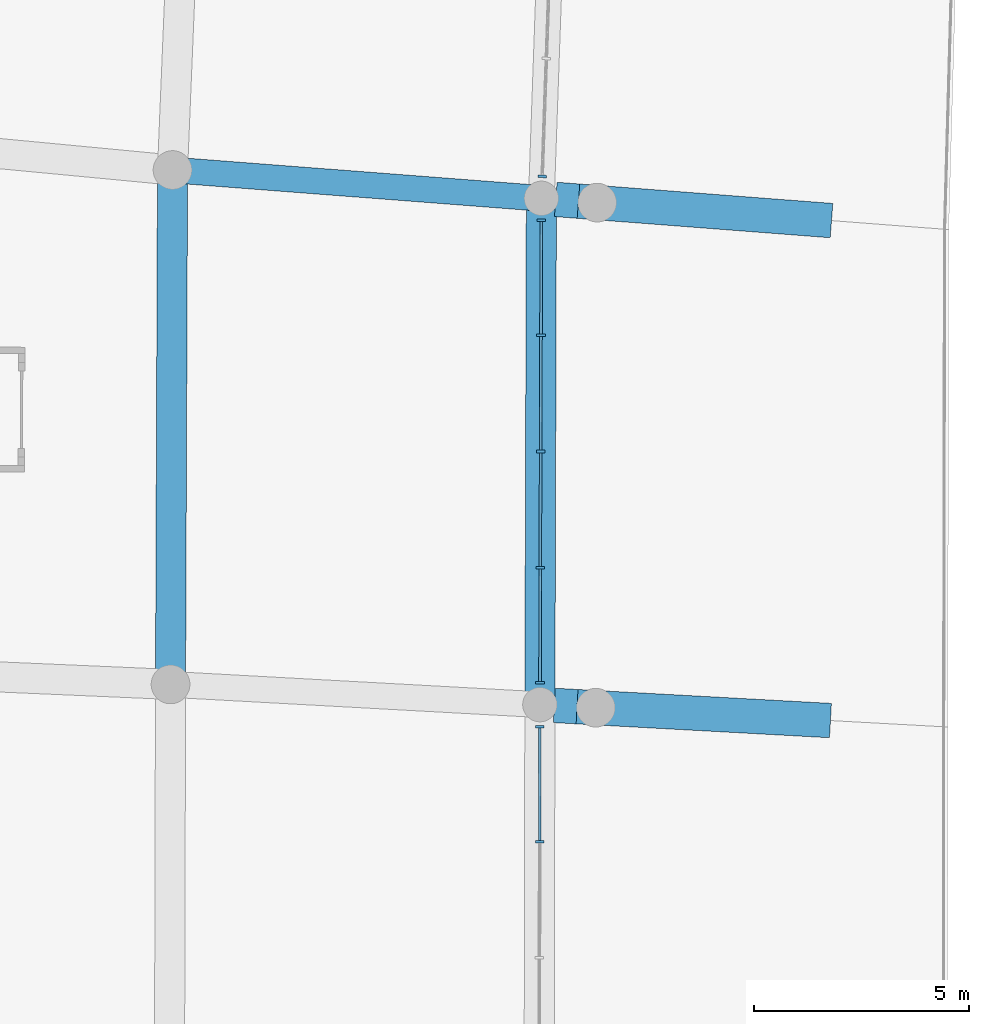
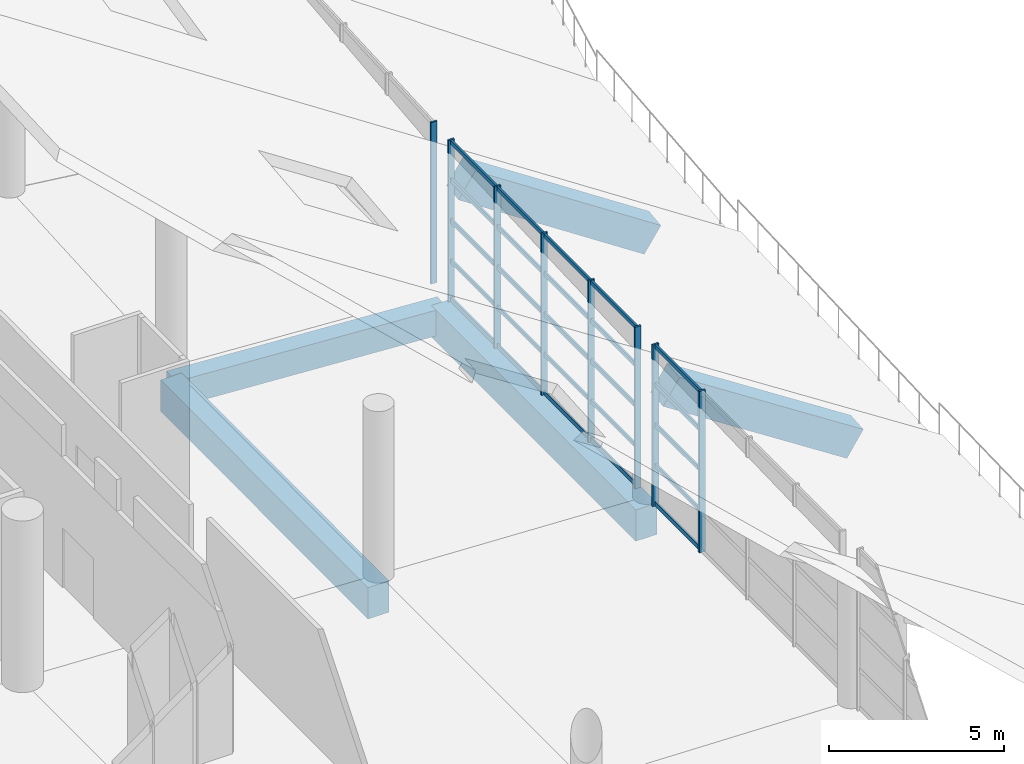
# One storey, part 56 of 249: 33 members, 5 beams, 3 elements without a shape of their own.
"""IFC4 building model written with IfcOpenShell, lengths in metres."""

from ifc_helpers import new_model, si_unit, direction, frame, origin, origin_2d, place, context, subcontext, project, spatial, rectangle, extrude, material, layer, layer_set, material_profile, profile_set, type_object, element, aggregate, save


model = new_model("IFC4")

# Units and contexts
model_context = context("Model", 3, precision=1e-05, world=origin(), true_north=direction((0.0, 1.0)))
body_context = subcontext(model_context, "Body", "Model", "MODEL_VIEW")
ifc_project = project(units=[si_unit("LENGTHUNIT", "METRE"), si_unit("AREAUNIT", "SQUARE_METRE"), si_unit("VOLUMEUNIT", "CUBIC_METRE"), si_unit("PLANEANGLEUNIT", "RADIAN"), si_unit("MASSUNIT", "GRAM", prefix="KILO")], contexts=[model_context])

# Site, building, storey
site_placement = place(None, origin())
site = spatial("IfcSite", under=ifc_project, at=site_placement, CompositionType="ELEMENT")
building_placement = place(site_placement, origin())
building = spatial("IfcBuilding", under=site, at=building_placement, Name="Meseta Stadium", CompositionType="ELEMENT")
storey_placement = place(building_placement, frame((0.0, 0.0, 12.0)))
storey = spatial("IfcBuildingStorey", under=building, at=storey_placement, Name="L02", CompositionType="ELEMENT", Elevation=12.0)

# Curtain wall, member
ifc_material_1 = material(Name="Aluminium", Category="aluminium")
ifc_layer = layer(ifc_material_1, 0.199951171875)
ifc_layer_set = layer_set([ifc_layer], Name="Suite glazing curtain wall")
curtain_wall_type = type_object("IfcCurtainWallType", Name="Suite glazing curtain wall", PredefinedType="NOTDEFINED", material=ifc_layer_set)
curtain_wall_1_placement = place(storey_placement, origin())
curtain_wall_1 = element("IfcCurtainWall", 1, at=curtain_wall_1_placement, inside=storey, type_object=curtain_wall_type, Name="Suite glazing bay 28", PredefinedType="NOTDEFINED")
ifc_material_2 = material(Name="Aluminium", Category="aluminium")
ifc_material_profile_1 = material_profile(ifc_material_2, rectangle(XDim=0.199951171875, YDim=0.06005859375, at=origin_2d()), Name="CW 200x60")
ifc_profile_set_1 = profile_set([ifc_material_profile_1], Name="Aluminium")
member_type_1 = type_object("IfcMemberType", Name="CW mullion 60x200", PredefinedType="MULLION", material=ifc_profile_set_1)
member_1_placement = place(storey_placement, frame((-64.81201171875, 41.713134765625, 0.0), z_axis=(0.0, 0.0, 1.0), x_axis=(0.999374260798, -0.035370706156, 0.0)))
member_1 = element("IfcMember", 2, at=member_1_placement, type_object=member_type_1, Name="CWS mullion 4", PredefinedType="MULLION", context=body_context, shape_type="SweptSolid", body=[
    extrude(rectangle(XDim=0.199951171875, YDim=0.06005859375, at=origin_2d()), origin(), (0.0, 0.0, 1.0), 5.64990234375),
])
aggregate(curtain_wall_1, [member_1])

# Curtain wall, members
curtain_wall_2_placement = place(storey_placement, origin())
curtain_wall_2 = element("IfcCurtainWall", 3, at=curtain_wall_2_placement, inside=storey, type_object=curtain_wall_type, Name="Suite glazing bay 29", PredefinedType="NOTDEFINED")
member_2_placement = place(storey_placement, frame((-64.831298828125, 40.69384765625, 0.0), z_axis=(0.0, 0.0, 1.0), x_axis=(0.999995765919, -0.002910007458, 0.0)))
member_2 = element("IfcMember", 4, at=member_2_placement, type_object=member_type_1, Name="CWS mullion 1", PredefinedType="MULLION", context=body_context, shape_type="SweptSolid", body=[
    extrude(rectangle(XDim=0.199951171875, YDim=0.06005859375, at=origin_2d()), origin(), (0.0, 0.0, 1.0), 5.64990234375),
])
member_3_placement = place(storey_placement, frame((-64.839111328125, 38.02099609375, 0.0), z_axis=(0.0, 0.0, 1.0), x_axis=(0.999995765919, -0.002910007458, 0.0)))
member_3 = element("IfcMember", 5, at=member_3_placement, type_object=member_type_1, Name="CWS mullion 2", PredefinedType="MULLION", context=body_context, shape_type="SweptSolid", body=[
    extrude(rectangle(XDim=0.199951171875, YDim=0.06005859375, at=origin_2d()), origin(), (0.0, 0.0, 1.0), 5.64990234375),
])
member_4_placement = place(storey_placement, frame((-64.846923828125, 35.318359375, 0.0), z_axis=(0.0, 0.0, 1.0), x_axis=(0.999995765919, -0.002910007458, 0.0)))
member_4 = element("IfcMember", 6, at=member_4_placement, type_object=member_type_1, Name="CWS mullion 3", PredefinedType="MULLION", context=body_context, shape_type="SweptSolid", body=[
    extrude(rectangle(XDim=0.199951171875, YDim=0.06005859375, at=origin_2d()), origin(), (0.0, 0.0, 1.0), 5.64990234375),
])
member_5_placement = place(storey_placement, frame((-64.85498046875, 32.61572265625, 0.0), z_axis=(0.0, 0.0, 1.0), x_axis=(0.999995765919, -0.002910007458, 0.0)))
member_5 = element("IfcMember", 7, at=member_5_placement, type_object=member_type_1, Name="CWS mullion 4", PredefinedType="MULLION", context=body_context, shape_type="SweptSolid", body=[
    extrude(rectangle(XDim=0.199951171875, YDim=0.06005859375, at=origin_2d()), origin(), (0.0, 0.0, 1.0), 5.64990234375),
])
member_6_placement = place(storey_placement, frame((-64.86279296875, 29.94287109375, 0.0), z_axis=(0.0, 0.0, 1.0), x_axis=(0.999995765919, -0.002910007458, 0.0)))
member_6 = element("IfcMember", 8, at=member_6_placement, type_object=member_type_1, Name="CWS mullion 5", PredefinedType="MULLION", context=body_context, shape_type="SweptSolid", body=[
    extrude(rectangle(XDim=0.199951171875, YDim=0.06005859375, at=origin_2d()), origin(), (0.0, 0.0, 1.0), 5.64990234375),
])

curtain_wall_3_placement = place(storey_placement, origin())
curtain_wall_3 = element("IfcCurtainWall", 9, at=curtain_wall_3_placement, inside=storey, type_object=curtain_wall_type, Name="Suite glazing bay 30", PredefinedType="NOTDEFINED")
member_7_placement = place(storey_placement, frame((-64.865234375, 28.923828125, 0.0), z_axis=(0.0, 0.0, 1.0), x_axis=(0.999998105206, -0.001946685349, 0.0)))
member_7 = element("IfcMember", 10, at=member_7_placement, type_object=member_type_1, Name="CWS mullion 1", PredefinedType="MULLION", context=body_context, shape_type="SweptSolid", body=[
    extrude(rectangle(XDim=0.199951171875, YDim=0.06005859375, at=origin_2d()), origin(), (0.0, 0.0, 1.0), 5.64990234375),
])
member_8_placement = place(storey_placement, frame((-64.870361328125, 26.250244140625, 0.0), z_axis=(0.0, 0.0, 1.0), x_axis=(0.999998105206, -0.001946685349, 0.0)))
member_8 = element("IfcMember", 11, at=member_8_placement, type_object=member_type_1, Name="CWS mullion 2", PredefinedType="MULLION", context=body_context, shape_type="SweptSolid", body=[
    extrude(rectangle(XDim=0.199951171875, YDim=0.06005859375, at=origin_2d()), origin(), (0.0, 0.0, 1.0), 5.64990234375),
])

# Member
ifc_material_3 = material(Name="Aluminium", Category="aluminium")
ifc_material_profile_2 = material_profile(ifc_material_3, rectangle(XDim=0.06005859375, YDim=0.14990234375, at=origin_2d()), Name="CW 60x150")
ifc_profile_set_2 = profile_set([ifc_material_profile_2], Name="Aluminium")
member_type_2 = type_object("IfcMemberType", Name="CW transom 60x150", PredefinedType="USERDEFINED", material=ifc_profile_set_2)
member_9_placement = place(storey_placement, frame((-64.83154296875, 40.663818359375, 0.074951171875), z_axis=(-0.002896642679, -0.999995804722, 0.0), x_axis=(0.999995804722, -0.002896642679, 0.0)))
member_9 = element("IfcMember", 12, at=member_9_placement, type_object=member_type_2, Name="CWS transom 1.1", ObjectType="TRANSOM", PredefinedType="USERDEFINED", context=body_context, shape_type="SweptSolid", body=[
    extrude(rectangle(XDim=0.06005859375, YDim=0.14990234375, at=origin_2d()), origin(), (0.0, 0.0, 1.0), 2.61279296875),
])

member_10_placement = place(storey_placement, frame((-64.83154296875, 40.663818359375, 1.41259765625), z_axis=(-0.002896642679, -0.999995804722, 0.0), x_axis=(0.999995804722, -0.002896642679, 0.0)))
member_10 = element("IfcMember", 13, at=member_10_placement, type_object=member_type_2, Name="CWS transom 1.2", ObjectType="TRANSOM", PredefinedType="USERDEFINED", context=body_context, shape_type="SweptSolid", body=[
    extrude(rectangle(XDim=0.06005859375, YDim=0.14990234375, at=origin_2d()), origin(), (0.0, 0.0, 1.0), 2.61279296875),
])

member_11_placement = place(storey_placement, frame((-64.83154296875, 40.663818359375, 2.824951171875), z_axis=(-0.002896642679, -0.999995804722, 0.0), x_axis=(0.999995804722, -0.002896642679, 0.0)))
member_11 = element("IfcMember", 14, at=member_11_placement, type_object=member_type_2, Name="CWS transom 1.3", ObjectType="TRANSOM", PredefinedType="USERDEFINED", context=body_context, shape_type="SweptSolid", body=[
    extrude(rectangle(XDim=0.06005859375, YDim=0.14990234375, at=origin_2d()), origin(), (0.0, 0.0, 1.0), 2.61279296875),
])

member_12_placement = place(storey_placement, frame((-64.83154296875, 40.663818359375, 4.237548828125), z_axis=(-0.002896642679, -0.999995804722, 0.0), x_axis=(0.999995804722, -0.002896642679, 0.0)))
member_12 = element("IfcMember", 15, at=member_12_placement, type_object=member_type_2, Name="CWS transom 1.4", ObjectType="TRANSOM", PredefinedType="USERDEFINED", context=body_context, shape_type="SweptSolid", body=[
    extrude(rectangle(XDim=0.06005859375, YDim=0.14990234375, at=origin_2d()), origin(), (0.0, 0.0, 1.0), 2.61279296875),
])

member_13_placement = place(storey_placement, frame((-64.83154296875, 40.663818359375, 5.574951171875), z_axis=(-0.002896642679, -0.999995804722, 0.0), x_axis=(0.999995804722, -0.002896642679, 0.0)))
member_13 = element("IfcMember", 16, at=member_13_placement, type_object=member_type_2, Name="CWS transom 1.5", ObjectType="TRANSOM", PredefinedType="USERDEFINED", context=body_context, shape_type="SweptSolid", body=[
    extrude(rectangle(XDim=0.06005859375, YDim=0.14990234375, at=origin_2d()), origin(), (0.0, 0.0, 1.0), 2.61279296875),
])

member_14_placement = place(storey_placement, frame((-64.83935546875, 37.990966796875, 0.074951171875), z_axis=(-0.002863994167, -0.99999589876, 0.0), x_axis=(0.99999589876, -0.002863994167, 0.0)))
member_14 = element("IfcMember", 17, at=member_14_placement, type_object=member_type_2, Name="CWS transom 2.1", ObjectType="TRANSOM", PredefinedType="USERDEFINED", context=body_context, shape_type="SweptSolid", body=[
    extrude(rectangle(XDim=0.06005859375, YDim=0.14990234375, at=origin_2d()), origin(), (0.0, 0.0, 1.0), 2.642578125),
])

member_15_placement = place(storey_placement, frame((-64.83935546875, 37.990966796875, 1.41259765625), z_axis=(-0.002863994167, -0.99999589876, 0.0), x_axis=(0.99999589876, -0.002863994167, 0.0)))
member_15 = element("IfcMember", 18, at=member_15_placement, type_object=member_type_2, Name="CWS transom 2.2", ObjectType="TRANSOM", PredefinedType="USERDEFINED", context=body_context, shape_type="SweptSolid", body=[
    extrude(rectangle(XDim=0.06005859375, YDim=0.14990234375, at=origin_2d()), origin(), (0.0, 0.0, 1.0), 2.642578125),
])

member_16_placement = place(storey_placement, frame((-64.83935546875, 37.990966796875, 2.824951171875), z_axis=(-0.002863994167, -0.99999589876, 0.0), x_axis=(0.99999589876, -0.002863994167, 0.0)))
member_16 = element("IfcMember", 19, at=member_16_placement, type_object=member_type_2, Name="CWS transom 2.3", ObjectType="TRANSOM", PredefinedType="USERDEFINED", context=body_context, shape_type="SweptSolid", body=[
    extrude(rectangle(XDim=0.06005859375, YDim=0.14990234375, at=origin_2d()), origin(), (0.0, 0.0, 1.0), 2.642578125),
])

member_17_placement = place(storey_placement, frame((-64.83935546875, 37.990966796875, 4.237548828125), z_axis=(-0.002863994167, -0.99999589876, 0.0), x_axis=(0.99999589876, -0.002863994167, 0.0)))
member_17 = element("IfcMember", 20, at=member_17_placement, type_object=member_type_2, Name="CWS transom 2.4", ObjectType="TRANSOM", PredefinedType="USERDEFINED", context=body_context, shape_type="SweptSolid", body=[
    extrude(rectangle(XDim=0.06005859375, YDim=0.14990234375, at=origin_2d()), origin(), (0.0, 0.0, 1.0), 2.642578125),
])

member_18_placement = place(storey_placement, frame((-64.83935546875, 37.990966796875, 5.574951171875), z_axis=(-0.002863994167, -0.99999589876, 0.0), x_axis=(0.99999589876, -0.002863994167, 0.0)))
member_18 = element("IfcMember", 21, at=member_18_placement, type_object=member_type_2, Name="CWS transom 2.5", ObjectType="TRANSOM", PredefinedType="USERDEFINED", context=body_context, shape_type="SweptSolid", body=[
    extrude(rectangle(XDim=0.06005859375, YDim=0.14990234375, at=origin_2d()), origin(), (0.0, 0.0, 1.0), 2.642578125),
])

member_19_placement = place(storey_placement, frame((-64.84716796875, 35.288330078125, 0.074951171875), z_axis=(-0.002863994167, -0.99999589876, 0.0), x_axis=(0.99999589876, -0.002863994167, 0.0)))
member_19 = element("IfcMember", 22, at=member_19_placement, type_object=member_type_2, Name="CWS transom 3.1", ObjectType="TRANSOM", PredefinedType="USERDEFINED", context=body_context, shape_type="SweptSolid", body=[
    extrude(rectangle(XDim=0.06005859375, YDim=0.14990234375, at=origin_2d()), origin(), (0.0, 0.0, 1.0), 2.642578125),
])

member_20_placement = place(storey_placement, frame((-64.84716796875, 35.288330078125, 1.41259765625), z_axis=(-0.002863994167, -0.99999589876, 0.0), x_axis=(0.99999589876, -0.002863994167, 0.0)))
member_20 = element("IfcMember", 23, at=member_20_placement, type_object=member_type_2, Name="CWS transom 3.2", ObjectType="TRANSOM", PredefinedType="USERDEFINED", context=body_context, shape_type="SweptSolid", body=[
    extrude(rectangle(XDim=0.06005859375, YDim=0.14990234375, at=origin_2d()), origin(), (0.0, 0.0, 1.0), 2.642578125),
])

member_21_placement = place(storey_placement, frame((-64.84716796875, 35.288330078125, 2.824951171875), z_axis=(-0.002863994167, -0.99999589876, 0.0), x_axis=(0.99999589876, -0.002863994167, 0.0)))
member_21 = element("IfcMember", 24, at=member_21_placement, type_object=member_type_2, Name="CWS transom 3.3", ObjectType="TRANSOM", PredefinedType="USERDEFINED", context=body_context, shape_type="SweptSolid", body=[
    extrude(rectangle(XDim=0.06005859375, YDim=0.14990234375, at=origin_2d()), origin(), (0.0, 0.0, 1.0), 2.642578125),
])

member_22_placement = place(storey_placement, frame((-64.84716796875, 35.288330078125, 4.237548828125), z_axis=(-0.002863994167, -0.99999589876, 0.0), x_axis=(0.99999589876, -0.002863994167, 0.0)))
member_22 = element("IfcMember", 25, at=member_22_placement, type_object=member_type_2, Name="CWS transom 3.4", ObjectType="TRANSOM", PredefinedType="USERDEFINED", context=body_context, shape_type="SweptSolid", body=[
    extrude(rectangle(XDim=0.06005859375, YDim=0.14990234375, at=origin_2d()), origin(), (0.0, 0.0, 1.0), 2.642578125),
])

member_23_placement = place(storey_placement, frame((-64.84716796875, 35.288330078125, 5.574951171875), z_axis=(-0.002863994167, -0.99999589876, 0.0), x_axis=(0.99999589876, -0.002863994167, 0.0)))
member_23 = element("IfcMember", 26, at=member_23_placement, type_object=member_type_2, Name="CWS transom 3.5", ObjectType="TRANSOM", PredefinedType="USERDEFINED", context=body_context, shape_type="SweptSolid", body=[
    extrude(rectangle(XDim=0.06005859375, YDim=0.14990234375, at=origin_2d()), origin(), (0.0, 0.0, 1.0), 2.642578125),
])

member_24_placement = place(storey_placement, frame((-64.85498046875, 32.585693359375, 0.074951171875), z_axis=(-0.002896642679, -0.999995804722, 0.0), x_axis=(0.999995804722, -0.002896642679, 0.0)))
member_24 = element("IfcMember", 27, at=member_24_placement, type_object=member_type_2, Name="CWS transom 4.1", ObjectType="TRANSOM", PredefinedType="USERDEFINED", context=body_context, shape_type="SweptSolid", body=[
    extrude(rectangle(XDim=0.06005859375, YDim=0.14990234375, at=origin_2d()), origin(), (0.0, 0.0, 1.0), 2.61279296875),
])

member_25_placement = place(storey_placement, frame((-64.85498046875, 32.585693359375, 1.41259765625), z_axis=(-0.002896642679, -0.999995804722, 0.0), x_axis=(0.999995804722, -0.002896642679, 0.0)))
member_25 = element("IfcMember", 28, at=member_25_placement, type_object=member_type_2, Name="CWS transom 4.2", ObjectType="TRANSOM", PredefinedType="USERDEFINED", context=body_context, shape_type="SweptSolid", body=[
    extrude(rectangle(XDim=0.06005859375, YDim=0.14990234375, at=origin_2d()), origin(), (0.0, 0.0, 1.0), 2.61279296875),
])

member_26_placement = place(storey_placement, frame((-64.85498046875, 32.585693359375, 2.824951171875), z_axis=(-0.002896642679, -0.999995804722, 0.0), x_axis=(0.999995804722, -0.002896642679, 0.0)))
member_26 = element("IfcMember", 29, at=member_26_placement, type_object=member_type_2, Name="CWS transom 4.3", ObjectType="TRANSOM", PredefinedType="USERDEFINED", context=body_context, shape_type="SweptSolid", body=[
    extrude(rectangle(XDim=0.06005859375, YDim=0.14990234375, at=origin_2d()), origin(), (0.0, 0.0, 1.0), 2.61279296875),
])

member_27_placement = place(storey_placement, frame((-64.85498046875, 32.585693359375, 4.237548828125), z_axis=(-0.002896642679, -0.999995804722, 0.0), x_axis=(0.999995804722, -0.002896642679, 0.0)))
member_27 = element("IfcMember", 30, at=member_27_placement, type_object=member_type_2, Name="CWS transom 4.4", ObjectType="TRANSOM", PredefinedType="USERDEFINED", context=body_context, shape_type="SweptSolid", body=[
    extrude(rectangle(XDim=0.06005859375, YDim=0.14990234375, at=origin_2d()), origin(), (0.0, 0.0, 1.0), 2.61279296875),
])

member_28_placement = place(storey_placement, frame((-64.85498046875, 32.585693359375, 5.574951171875), z_axis=(-0.002896642679, -0.999995804722, 0.0), x_axis=(0.999995804722, -0.002896642679, 0.0)))
member_28 = element("IfcMember", 31, at=member_28_placement, type_object=member_type_2, Name="CWS transom 4.5", ObjectType="TRANSOM", PredefinedType="USERDEFINED", context=body_context, shape_type="SweptSolid", body=[
    extrude(rectangle(XDim=0.06005859375, YDim=0.14990234375, at=origin_2d()), origin(), (0.0, 0.0, 1.0), 2.61279296875),
])

aggregate(curtain_wall_2, [member_2, member_3, member_4, member_5, member_6, member_9, member_10, member_11, member_12, member_13, member_14, member_15, member_16, member_17, member_18, member_19, member_20, member_21, member_22, member_23, member_24, member_25, member_26, member_27, member_28])

member_29_placement = place(storey_placement, frame((-64.865234375, 28.893798828125, 0.074951171875), z_axis=(-0.001961696366, -0.999998075872, 0.0), x_axis=(0.999998075872, -0.001961696366, 0.0)))
member_29 = element("IfcMember", 32, at=member_29_placement, type_object=member_type_2, Name="CWS transom 1.1", ObjectType="TRANSOM", PredefinedType="USERDEFINED", context=body_context, shape_type="SweptSolid", body=[
    extrude(rectangle(XDim=0.06005859375, YDim=0.14990234375, at=origin_2d()), origin(), (0.0, 0.0, 1.0), 2.613525390625),
])

member_30_placement = place(storey_placement, frame((-64.865234375, 28.893798828125, 1.41259765625), z_axis=(-0.001961696366, -0.999998075872, 0.0), x_axis=(0.999998075872, -0.001961696366, 0.0)))
member_30 = element("IfcMember", 33, at=member_30_placement, type_object=member_type_2, Name="CWS transom 1.2", ObjectType="TRANSOM", PredefinedType="USERDEFINED", context=body_context, shape_type="SweptSolid", body=[
    extrude(rectangle(XDim=0.06005859375, YDim=0.14990234375, at=origin_2d()), origin(), (0.0, 0.0, 1.0), 2.613525390625),
])

member_31_placement = place(storey_placement, frame((-64.865234375, 28.893798828125, 2.824951171875), z_axis=(-0.001961696366, -0.999998075872, 0.0), x_axis=(0.999998075872, -0.001961696366, 0.0)))
member_31 = element("IfcMember", 34, at=member_31_placement, type_object=member_type_2, Name="CWS transom 1.3", ObjectType="TRANSOM", PredefinedType="USERDEFINED", context=body_context, shape_type="SweptSolid", body=[
    extrude(rectangle(XDim=0.06005859375, YDim=0.14990234375, at=origin_2d()), origin(), (0.0, 0.0, 1.0), 2.613525390625),
])

member_32_placement = place(storey_placement, frame((-64.865234375, 28.893798828125, 4.237548828125), z_axis=(-0.001961696366, -0.999998075872, 0.0), x_axis=(0.999998075872, -0.001961696366, 0.0)))
member_32 = element("IfcMember", 35, at=member_32_placement, type_object=member_type_2, Name="CWS transom 1.4", ObjectType="TRANSOM", PredefinedType="USERDEFINED", context=body_context, shape_type="SweptSolid", body=[
    extrude(rectangle(XDim=0.06005859375, YDim=0.14990234375, at=origin_2d()), origin(), (0.0, 0.0, 1.0), 2.613525390625),
])

member_33_placement = place(storey_placement, frame((-64.865234375, 28.893798828125, 5.574951171875), z_axis=(-0.001961696366, -0.999998075872, 0.0), x_axis=(0.999998075872, -0.001961696366, 0.0)))
member_33 = element("IfcMember", 36, at=member_33_placement, type_object=member_type_2, Name="CWS transom 1.5", ObjectType="TRANSOM", PredefinedType="USERDEFINED", context=body_context, shape_type="SweptSolid", body=[
    extrude(rectangle(XDim=0.06005859375, YDim=0.14990234375, at=origin_2d()), origin(), (0.0, 0.0, 1.0), 2.613525390625),
])

aggregate(curtain_wall_3, [member_7, member_8, member_29, member_30, member_31, member_32, member_33])

# Beams
ifc_material_4 = material(Name="Concrete C40/50", Category="concrete")
ifc_material_profile_3 = material_profile(ifc_material_4, rectangle(XDim=0.60009765625, YDim=0.89990234375, at=origin_2d()), Name="RC 600x900")
ifc_profile_set_3 = profile_set([ifc_material_profile_3], Name="Concrete C40/50")
beam_type_1 = type_object("IfcBeamType", Name="RC beam 600x900", PredefinedType="BEAM", material=ifc_profile_set_3)
beam_1_placement = place(storey_placement, frame((-64.829833984375, 41.2041015625, -0.800048828125), z_axis=(-0.997066996267, 0.076533685105, 0.0), x_axis=(-0.076533685105, -0.997066996267, 0.0)))
element("IfcBeam", 37, at=beam_1_placement, inside=storey, type_object=beam_type_1, Name="L02 radial beam frame 29 line D to E", PredefinedType="BEAM", context=body_context, shape_type="SweptSolid", body=[
    extrude(rectangle(XDim=0.60009765625, YDim=0.89990234375, at=origin_2d()), origin(), (0.0, 0.0, 1.0), 8.60009765625),
])
ifc_material_5 = material(Name="Concrete C40/50", Category="concrete")
ifc_material_profile_4 = material_profile(ifc_material_5, rectangle(XDim=0.699951171875, YDim=1.10009765625, at=origin_2d()), Name="RC 700x1100")
ifc_profile_set_4 = profile_set([ifc_material_profile_4], Name="Concrete C40/50")
beam_type_2 = type_object("IfcBeamType", Name="RC beam 700x1100", PredefinedType="BEAM", material=ifc_profile_set_4)
beam_2_placement = place(storey_placement, frame((-64.829833984375, 41.2041015625, -0.89990234375), z_axis=(-0.002924509925, -0.999995723612, 0.0), x_axis=(0.999995723612, -0.002924509925, 0.0)))
element("IfcBeam", 38, at=beam_2_placement, inside=storey, type_object=beam_type_2, Name="L02 ring beam frame 29 line D", PredefinedType="BEAM", context=body_context, shape_type="SweptSolid", body=[
    extrude(rectangle(XDim=0.699951171875, YDim=1.10009765625, at=origin_2d()), origin(), (0.0, 0.0, 1.0), 11.770751953125),
])
beam_3_placement = place(storey_placement, frame((-73.40478515625, 41.8623046875, -0.89990234375), z_axis=(-0.003899441576, -0.999992397149, 0.0), x_axis=(0.999992397149, -0.003899441576, 0.0)))
element("IfcBeam", 39, at=beam_3_placement, inside=storey, type_object=beam_type_2, Name="L02 ring beam frame 29 line E", PredefinedType="BEAM", context=body_context, shape_type="SweptSolid", body=[
    extrude(rectangle(XDim=0.699951171875, YDim=1.10009765625, at=origin_2d()), origin(), (0.0, 0.0, 1.0), 11.958251953125),
])
ifc_material_6 = material(Name="Concrete C40/50", Category="concrete")
ifc_material_profile_5 = material_profile(ifc_material_6, rectangle(XDim=0.800048828125, YDim=1.0, at=origin_2d()), Name="RC 800x1000")
ifc_profile_set_5 = profile_set([ifc_material_profile_5], Name="Concrete C40/50")
beam_type_3 = type_object("IfcBeamType", Name="RC raker upper front 800x1000", PredefinedType="USERDEFINED", material=ifc_profile_set_5)
beam_4_placement = place(storey_placement, frame((-58.34912109375, 40.70654296875, 0.103271484375), z_axis=(-0.845520766678, 0.064918589681, 0.5299813297), x_axis=(-0.076554100174, -0.99706542902, 0.0)))
element("IfcBeam", 40, at=beam_4_placement, inside=storey, type_object=beam_type_3, Name="Raker upper front frame 29 upper tier", ObjectType="RAKER", PredefinedType="USERDEFINED", context=body_context, shape_type="SweptSolid", body=[
    extrude(rectangle(XDim=0.800048828125, YDim=1.0, at=origin_2d()), origin(), (0.0, 0.0, 1.0), 6.957275390625),
])
beam_5_placement = place(storey_placement, frame((-58.373779296875, 29.077392578125, 0.026611328125), z_axis=(-0.846750700545, 0.046423736141, 0.52996045876), x_axis=(-0.054743528807, -0.9985004487, 0.0)))
element("IfcBeam", 41, at=beam_5_placement, inside=storey, type_object=beam_type_3, Name="Raker upper front frame 30 upper tier", ObjectType="RAKER", PredefinedType="USERDEFINED", context=body_context, shape_type="SweptSolid", body=[
    extrude(rectangle(XDim=0.800048828125, YDim=1.0, at=origin_2d()), origin(), (0.0, 0.0, 1.0), 6.95751953125),
])

save(model, "model.ifc")
